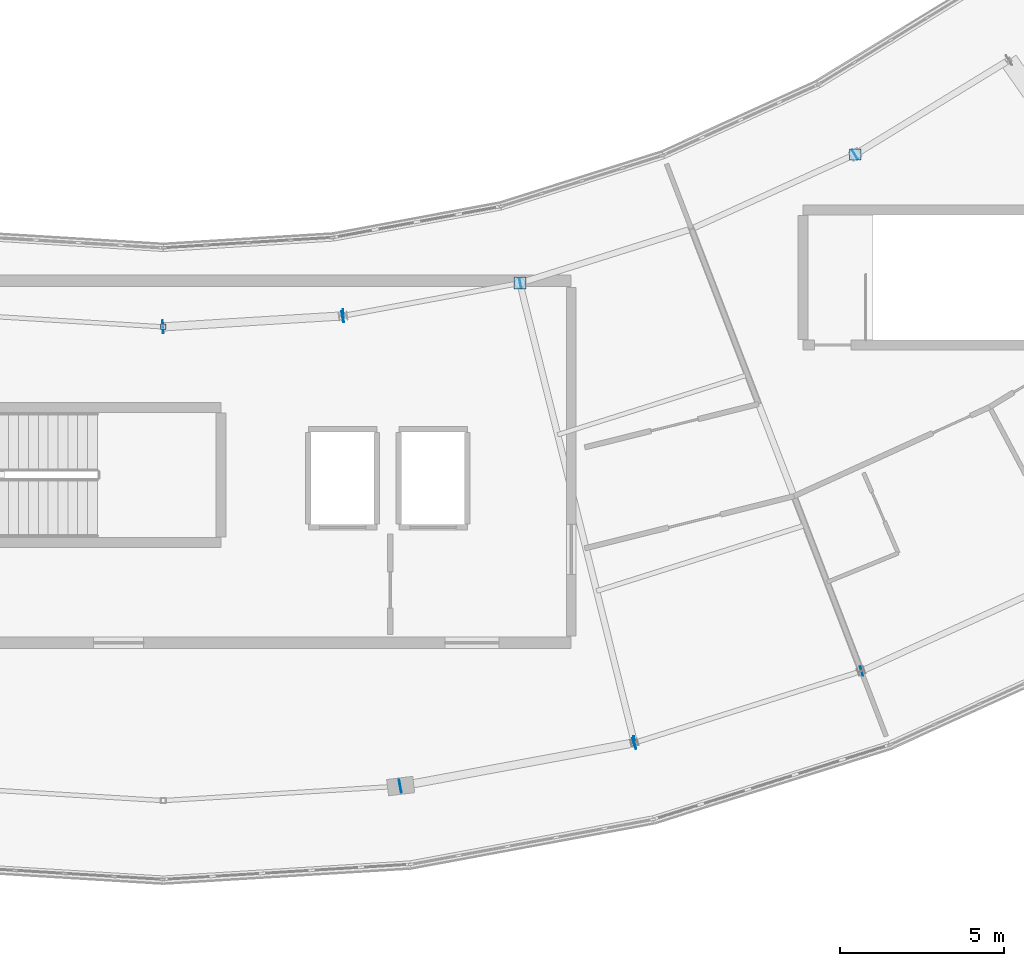
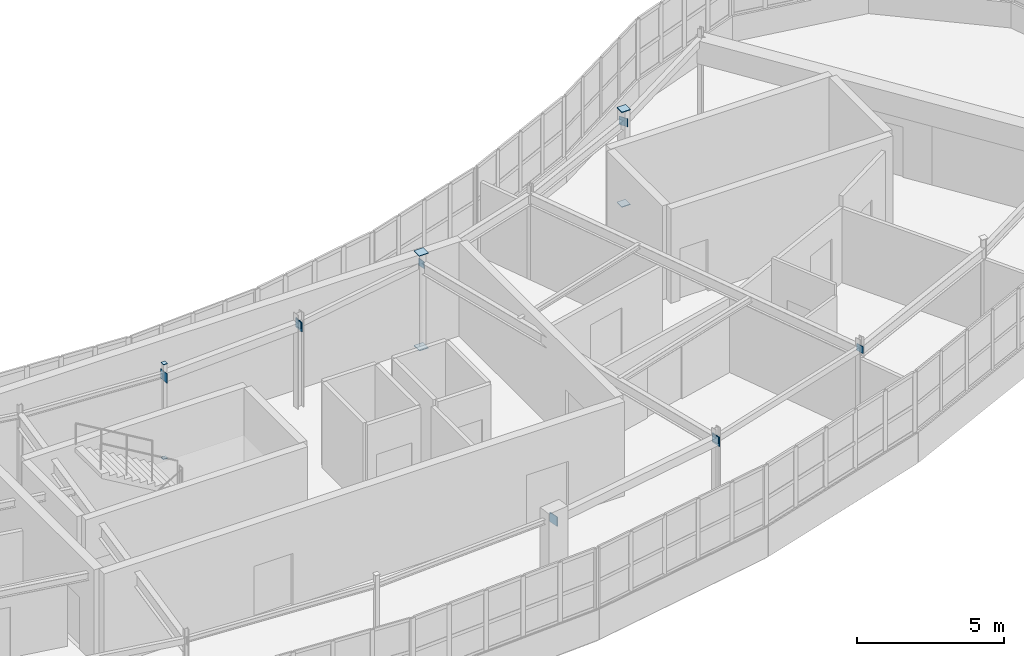
# One storey, part 57 of 79: 15 plates.
"""IFC4 building model written with IfcOpenShell, lengths in metres."""

from ifc_helpers import new_model, si_unit, direction, frame, origin, origin_2d, place, context, subcontext, project, spatial, rectangle, extrude, material, layer, layer_set, type_object, element, save


model = new_model("IFC4")

# Units and contexts
model_context = context("Model", 3, precision=1e-05, world=origin(), true_north=direction((0.0, 1.0)))
body_context = subcontext(model_context, "Body", "Model", "MODEL_VIEW")
ifc_project = project(units=[si_unit("LENGTHUNIT", "METRE"), si_unit("AREAUNIT", "SQUARE_METRE"), si_unit("VOLUMEUNIT", "CUBIC_METRE"), si_unit("PLANEANGLEUNIT", "RADIAN"), si_unit("MASSUNIT", "GRAM", prefix="KILO")], contexts=[model_context])

# Site, building, storey
site_placement = place(None, origin())
site = spatial("IfcSite", under=ifc_project, at=site_placement, CompositionType="ELEMENT")
building_placement = place(site_placement, origin())
building = spatial("IfcBuilding", under=site, at=building_placement, Name="Tarnwether General Hospital", CompositionType="ELEMENT")
storey_placement = place(building_placement, frame((0.0, 0.0, 18.300048828125)))
storey = spatial("IfcBuildingStorey", under=building, at=storey_placement, Name="L04", CompositionType="ELEMENT", Elevation=18.300048828125)

# Plates
ifc_material = material(Name="Steel Grade 350 (350 MPa)", Category="steel")
ifc_layer = layer(ifc_material, 0.02490234375)
ifc_layer_set = layer_set([ifc_layer], Name="Steel Grade 350 (350 MPa)")
plate_type = type_object("IfcPlateType", Name="PT-GUS2", PredefinedType="USERDEFINED", material=ifc_layer_set)
for number, where, z_axis, x_axis, name in (
    (1, (92.0, 18.199951171875, -0.02490234375), (0.0, 0.0, 1.0), (1.0, 0.0, 0.0), "Hollow Section Welded End Cap Plate 0691"),
    (2, (92.0, 18.199951171875, 3.89990234375), (0.0, 0.0, 1.0), (1.0, 0.0, 0.0), "Hollow Section Welded End Cap Plate 0692"),
):
    element("IfcPlate", number, at=place(storey_placement, frame(where, z_axis=z_axis, x_axis=x_axis)), inside=storey, type_object=plate_type, Name=name, ObjectType="GUSSET", PredefinedType="USERDEFINED", context=body_context, shape_type="SweptSolid", body=[
        extrude(rectangle(XDim=0.1650390625, YDim=0.1650390625, at=origin_2d()), origin(), (0.0, 0.0, 1.0), 0.02490234375),
    ])
for number, where, z_axis, x_axis, name in (
    (3, (102.837890625, 19.531005859375, -0.02490234375), (0.0, 0.0, 1.0), (1.0, 0.0, 0.0), "Hollow Section Welded End Cap Plate 0715"),
    (4, (102.837890625, 19.531005859375, 3.89990234375), (0.0, 0.0, 1.0), (1.0, 0.0, 0.0), "Hollow Section Welded End Cap Plate 0716"),
):
    element("IfcPlate", number, at=place(storey_placement, frame(where, z_axis=z_axis, x_axis=x_axis)), inside=storey, type_object=plate_type, Name=name, ObjectType="GUSSET", PredefinedType="USERDEFINED", context=body_context, shape_type="SweptSolid", body=[
        extrude(rectangle(XDim=0.364013671875, YDim=0.364013671875, at=origin_2d()), origin(), (0.0, 0.0, 1.0), 0.02490234375),
    ])
for number, where, z_axis, x_axis, name in (
    (5, (113.031982421875, 23.444091796875, -0.02490234375), (0.0, 0.0, 1.0), (1.0, 0.0, 0.0), "Hollow Section Welded End Cap Plate 0737"),
    (6, (113.031982421875, 23.444091796875, 3.89990234375), (0.0, 0.0, 1.0), (1.0, 0.0, 0.0), "Hollow Section Welded End Cap Plate 0738"),
):
    element("IfcPlate", number, at=place(storey_placement, frame(where, z_axis=z_axis, x_axis=x_axis)), inside=storey, type_object=plate_type, Name=name, ObjectType="GUSSET", PredefinedType="USERDEFINED", context=body_context, shape_type="SweptSolid", body=[
        extrude(rectangle(XDim=0.340087890625, YDim=0.340087890625, at=origin_2d()), origin(), (0.0, 0.0, 1.0), 0.02490234375),
    ])
for number, where, z_axis, x_axis, name in (
    (7, (91.987548828125, 18.19921875, 3.18994140625), (0.0, 0.0, 1.0), (0.998133732772, 0.061065960264, 0.0), "Hollow Section Welded End Cap Plate 1133"),
    (8, (97.472412109375, 18.534912109375, 3.18994140625), (0.0, 0.0, 1.0), (0.998133732772, 0.061065960264, 0.0), "Hollow Section Welded End Cap Plate 1134"),
    (9, (99.20263671875, 4.23876953125, 3.18994140625), (0.0, 0.0, 1.0), (0.983261268185, 0.18220120331, 0.0), "Hollow Section Welded End Cap Plate 1135"),
    (10, (106.334228515625, 5.560302734375, 3.18994140625), (0.0, 0.0, 1.0), (0.983261268185, 0.18220120331, 0.0), "Hollow Section Welded End Cap Plate 1136"),
):
    element("IfcPlate", number, at=place(storey_placement, frame(where, z_axis=z_axis, x_axis=x_axis)), inside=storey, type_object=plate_type, Name=name, ObjectType="GUSSET", PredefinedType="USERDEFINED", context=body_context, shape_type="SweptSolid", body=[
        extrude(rectangle(XDim=0.02490234375, YDim=0.389892578125, at=origin_2d()), origin(), (0.0, 0.0, 1.0), 0.389892578125),
    ])
for number, where, z_axis, x_axis, name in (
    (11, (97.44775390625, 18.53173828125, 3.2900390625), (0.0, 0.0, 1.0), (0.983245364386, 0.182287008349, 0.0), "Hollow Section Welded End Cap Plate 1137"),
    (12, (102.850341796875, 19.533203125, 3.2900390625), (0.0, 0.0, 1.0), (0.983245364386, 0.182287008349, 0.0), "Hollow Section Welded End Cap Plate 1138"),
    (13, (106.31005859375, 5.55419921875, 3.2900390625), (0.0, 0.0, 1.0), (0.953690705585, 0.300789025864, 0.0), "Hollow Section Welded End Cap Plate 1139"),
    (14, (113.226806640625, 7.73583984375, 3.2900390625), (0.0, 0.0, 1.0), (0.953690705585, 0.300789025864, 0.0), "Hollow Section Welded End Cap Plate 1140"),
):
    element("IfcPlate", number, at=place(storey_placement, frame(where, z_axis=z_axis, x_axis=x_axis)), inside=storey, type_object=plate_type, Name=name, ObjectType="GUSSET", PredefinedType="USERDEFINED", context=body_context, shape_type="SweptSolid", body=[
        extrude(rectangle(XDim=0.02490234375, YDim=0.2900390625, at=origin_2d()), origin(), (0.0, 0.0, 1.0), 0.2900390625),
    ])
plate_placement = place(storey_placement, frame((113.021240234375, 23.4375, 3.2197265625), z_axis=(0.0, 0.0, 1.0), x_axis=(0.852649283545, 0.522483683258, 0.0)))
element("IfcPlate", 15, at=plate_placement, inside=storey, type_object=plate_type, Name="Hollow Section Welded End Cap Plate 1141", ObjectType="GUSSET", PredefinedType="USERDEFINED", context=body_context, shape_type="SweptSolid", body=[
    extrude(rectangle(XDim=0.02490234375, YDim=0.340087890625, at=origin_2d()), origin(), (0.0, 0.0, 1.0), 0.340087890625),
])

save(model, "model.ifc")
